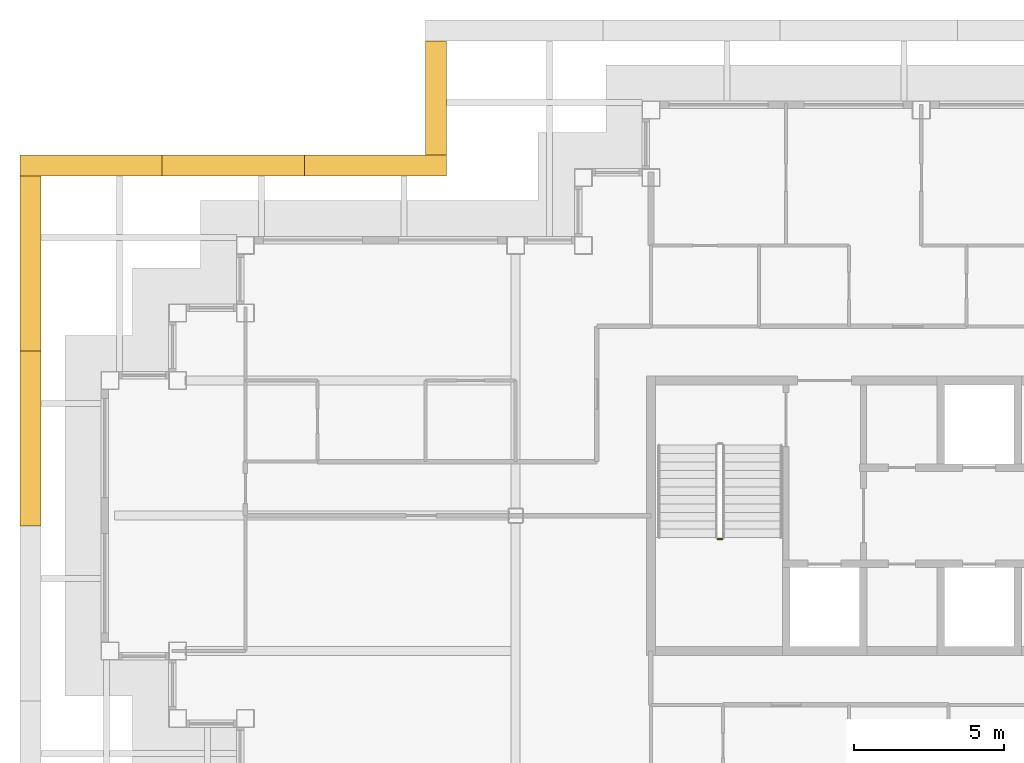
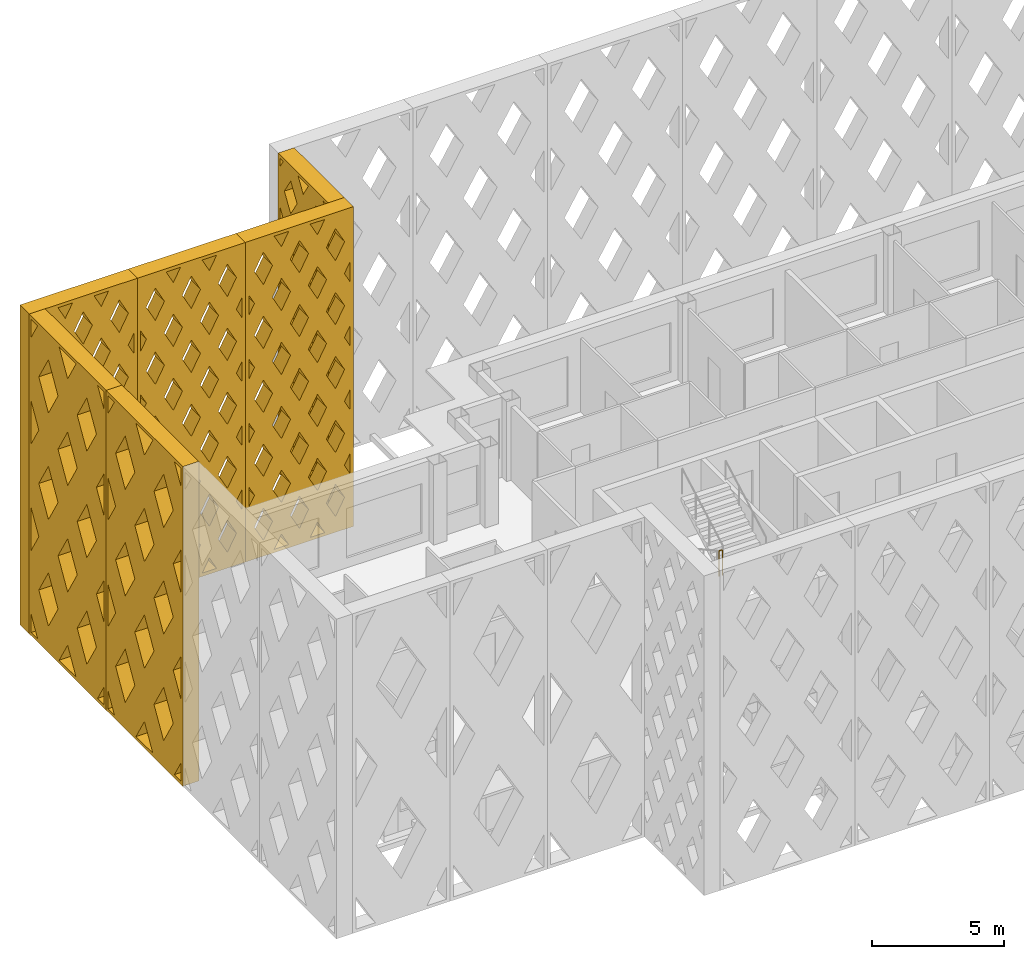
# One storey, part 10 of 15: 6 shading devices, 1 railing.
"""IFC4 building model written with IfcOpenShell, lengths in metres."""

from ifc_helpers import new_model, si_unit, direction, frame, origin, origin_2d, place, context, subcontext, project, spatial, polyline, circle, outline, extrude, material, type_object, element, save


model = new_model("IFC4")

# Units and contexts
model_context = context("Model", 3, precision=1e-05, world=origin(), true_north=direction((0.0, 1.0)))
body_context = subcontext(model_context, "Body", "Model", "MODEL_VIEW")
ifc_project = project(units=[si_unit("LENGTHUNIT", "METRE"), si_unit("AREAUNIT", "SQUARE_METRE"), si_unit("VOLUMEUNIT", "CUBIC_METRE"), si_unit("PLANEANGLEUNIT", "RADIAN"), si_unit("MASSUNIT", "GRAM", prefix="KILO")], contexts=[model_context])

# Site, building, storey
site_placement = place(None, origin())
site = spatial("IfcSite", under=ifc_project, at=site_placement, CompositionType="ELEMENT")
building_placement = place(site_placement, origin())
building = spatial("IfcBuilding", under=site, at=building_placement, Name="Caravel Reach Hotel and Residences", CompositionType="ELEMENT")
storey_placement = place(building_placement, frame((0.0, 0.0, 237.89990234375)))
storey = spatial("IfcBuildingStorey", under=building, at=storey_placement, Name="L60", CompositionType="ELEMENT", Elevation=237.89990234375)

# Shading devices
ifc_material_1 = material(Name="Black powder-coated aluminium", Category="aluminium")
shading_device_type_1 = type_object("IfcShadingDeviceType", Name="Diamond lattice screen panel 3800 x 14800", PredefinedType="USERDEFINED", material=ifc_material_1)
shading_device_1_placement = place(storey_placement, frame((11.199951171875, 42.800048828125, 0.0), z_axis=(-1.0, 0.0, 0.0), x_axis=(0.0, -1.0, 0.0)))
element("IfcShadingDevice", 1, at=shading_device_1_placement, inside=storey, type_object=shading_device_type_1, Name="Lattice screen L60-L63 6.1", ObjectType="SCREEN", PredefinedType="USERDEFINED", context=body_context, shape_type="SweptSolid", body=[
    extrude(outline(polyline([(0.0, 0.0), (3.800048828125, 0.0), (3.800048828125, 14.800048828125), (0.0, 14.800048828125), (0.0, 0.0)]), holes=[polyline([(0.389892578125, 0.14990234375), (0.14990234375, 0.523681640625), (0.14990234375, 0.14990234375), (0.389892578125, 0.14990234375)]), polyline([(0.486083984375, 2.9599609375), (0.14990234375, 3.483642578125), (0.14990234375, 2.436279296875), (0.486083984375, 2.9599609375)]), polyline([(0.486083984375, 5.919921875), (0.14990234375, 6.44384765625), (0.14990234375, 5.396240234375), (0.486083984375, 5.919921875)]), polyline([(0.486083984375, 8.8798828125), (0.14990234375, 9.40380859375), (0.14990234375, 8.356201171875), (0.486083984375, 8.8798828125)]), polyline([(0.486083984375, 11.840087890625), (0.14990234375, 12.36376953125), (0.14990234375, 11.316162109375), (0.486083984375, 11.840087890625)]), polyline([(0.14990234375, 14.2763671875), (0.389892578125, 14.64990234375), (0.14990234375, 14.64990234375), (0.14990234375, 14.2763671875)]), polyline([(0.949951171875, 2.237548828125), (0.4638671875, 1.47998046875), (0.949951171875, 0.72265625), (1.436279296875, 1.47998046875), (0.949951171875, 2.237548828125)]), polyline([(0.949951171875, 5.197509765625), (0.4638671875, 4.43994140625), (0.949951171875, 3.6826171875), (1.436279296875, 4.43994140625), (0.949951171875, 5.197509765625)]), polyline([(0.949951171875, 8.157470703125), (0.4638671875, 7.39990234375), (0.949951171875, 6.642578125), (1.436279296875, 7.39990234375), (0.949951171875, 8.157470703125)]), polyline([(0.949951171875, 11.117431640625), (0.4638671875, 10.360107421875), (0.949951171875, 9.6025390625), (1.436279296875, 10.360107421875), (0.949951171875, 11.117431640625)]), polyline([(0.949951171875, 14.077392578125), (0.4638671875, 13.320068359375), (0.949951171875, 12.5625), (1.436279296875, 13.320068359375), (0.949951171875, 14.077392578125)]), polyline([(1.89990234375, 0.75732421875), (1.510009765625, 0.14990234375), (2.289794921875, 0.14990234375), (1.89990234375, 0.75732421875)]), polyline([(1.89990234375, 3.717529296875), (1.413818359375, 2.9599609375), (1.89990234375, 2.20263671875), (2.38623046875, 2.9599609375), (1.89990234375, 3.717529296875)]), polyline([(1.89990234375, 6.677490234375), (1.413818359375, 5.919921875), (1.89990234375, 5.16259765625), (2.38623046875, 5.919921875), (1.89990234375, 6.677490234375)]), polyline([(1.89990234375, 9.637451171875), (1.413818359375, 8.8798828125), (1.89990234375, 8.12255859375), (2.38623046875, 8.8798828125), (1.89990234375, 9.637451171875)]), polyline([(1.89990234375, 12.597412109375), (1.413818359375, 11.840087890625), (1.89990234375, 11.08251953125), (2.38623046875, 11.840087890625), (1.89990234375, 12.597412109375)]), polyline([(1.89990234375, 14.04248046875), (2.289794921875, 14.64990234375), (1.510009765625, 14.64990234375), (1.89990234375, 14.04248046875)]), polyline([(2.85009765625, 2.237548828125), (2.36376953125, 1.47998046875), (2.85009765625, 0.72265625), (3.336181640625, 1.47998046875), (2.85009765625, 2.237548828125)]), polyline([(2.85009765625, 5.197509765625), (2.36376953125, 4.43994140625), (2.85009765625, 3.6826171875), (3.336181640625, 4.43994140625), (2.85009765625, 5.197509765625)]), polyline([(2.85009765625, 8.157470703125), (2.36376953125, 7.39990234375), (2.85009765625, 6.642578125), (3.336181640625, 7.39990234375), (2.85009765625, 8.157470703125)]), polyline([(2.85009765625, 11.117431640625), (2.36376953125, 10.360107421875), (2.85009765625, 9.6025390625), (3.336181640625, 10.360107421875), (2.85009765625, 11.117431640625)]), polyline([(2.85009765625, 14.077392578125), (2.36376953125, 13.320068359375), (2.85009765625, 12.5625), (3.336181640625, 13.320068359375), (2.85009765625, 14.077392578125)]), polyline([(3.64990234375, 0.523681640625), (3.41015625, 0.14990234375), (3.64990234375, 0.14990234375), (3.64990234375, 0.523681640625)]), polyline([(3.313720703125, 2.9599609375), (3.64990234375, 2.436279296875), (3.64990234375, 3.483642578125), (3.313720703125, 2.9599609375)]), polyline([(3.313720703125, 5.919921875), (3.64990234375, 5.396240234375), (3.64990234375, 6.44384765625), (3.313720703125, 5.919921875)]), polyline([(3.313720703125, 8.8798828125), (3.64990234375, 8.356201171875), (3.64990234375, 9.40380859375), (3.313720703125, 8.8798828125)]), polyline([(3.313720703125, 11.840087890625), (3.64990234375, 11.316162109375), (3.64990234375, 12.36376953125), (3.313720703125, 11.840087890625)]), polyline([(3.41015625, 14.64990234375), (3.64990234375, 14.2763671875), (3.64990234375, 14.64990234375), (3.41015625, 14.64990234375)])]), origin(), (0.0, 0.0, 1.0), 0.699951171875),
])
ifc_material_2 = material(Name="Black powder-coated aluminium", Category="aluminium")
shading_device_type_2 = type_object("IfcShadingDeviceType", Name="Diamond lattice screen panel 4733 x 14800", PredefinedType="USERDEFINED", material=ifc_material_2)
shading_device_2_placement = place(storey_placement, frame((11.199951171875, 38.300048828125, 0.0), z_axis=(0.0, 1.0, 0.0), x_axis=(-1.0, 0.0, 0.0)))
element("IfcShadingDevice", 2, at=shading_device_2_placement, inside=storey, type_object=shading_device_type_2, Name="Lattice screen L60-L63 7.1", ObjectType="SCREEN", PredefinedType="USERDEFINED", context=body_context, shape_type="SweptSolid", body=[
    extrude(outline(polyline([(0.0, 0.0), (4.7333984375, 0.0), (4.7333984375, 14.800048828125), (0.0, 14.800048828125), (0.0, 0.0)]), holes=[polyline([(0.398681640625, 2.9599609375), (0.14990234375, 3.4267578125), (0.14990234375, 2.493408203125), (0.398681640625, 2.9599609375)]), polyline([(0.398681640625, 5.919921875), (0.14990234375, 6.38671875), (0.14990234375, 5.453369140625), (0.398681640625, 5.919921875)]), polyline([(0.398681640625, 8.8798828125), (0.14990234375, 9.3466796875), (0.14990234375, 8.413330078125), (0.398681640625, 8.8798828125)]), polyline([(0.398681640625, 11.840087890625), (0.14990234375, 12.306640625), (0.14990234375, 11.373291015625), (0.398681640625, 11.840087890625)]), polyline([(0.788818359375, 2.22802734375), (0.39013671875, 1.47998046875), (0.788818359375, 0.73193359375), (1.187744140625, 1.47998046875), (0.788818359375, 2.22802734375)]), polyline([(0.788818359375, 5.18798828125), (0.39013671875, 4.43994140625), (0.788818359375, 3.69189453125), (1.187744140625, 4.43994140625), (0.788818359375, 5.18798828125)]), polyline([(0.788818359375, 8.14794921875), (0.39013671875, 7.39990234375), (0.788818359375, 6.65185546875), (1.187744140625, 7.39990234375), (0.788818359375, 8.14794921875)]), polyline([(0.788818359375, 11.108154296875), (0.39013671875, 10.360107421875), (0.788818359375, 9.612060546875), (1.187744140625, 10.360107421875), (0.788818359375, 11.108154296875)]), polyline([(0.788818359375, 14.068115234375), (0.39013671875, 13.320068359375), (0.788818359375, 12.572021484375), (1.187744140625, 13.320068359375), (0.788818359375, 14.068115234375)]), polyline([(1.577880859375, 0.748046875), (1.259033203125, 0.14990234375), (1.896484375, 0.14990234375), (1.577880859375, 0.748046875)]), polyline([(1.577880859375, 3.7080078125), (1.178955078125, 2.9599609375), (1.577880859375, 2.2119140625), (1.9765625, 2.9599609375), (1.577880859375, 3.7080078125)]), polyline([(1.577880859375, 6.66796875), (1.178955078125, 5.919921875), (1.577880859375, 5.171875), (1.9765625, 5.919921875), (1.577880859375, 6.66796875)]), polyline([(1.577880859375, 9.6279296875), (1.178955078125, 8.8798828125), (1.577880859375, 8.1318359375), (1.9765625, 8.8798828125), (1.577880859375, 9.6279296875)]), polyline([(1.577880859375, 12.588134765625), (1.178955078125, 11.840087890625), (1.577880859375, 11.092041015625), (1.9765625, 11.840087890625), (1.577880859375, 12.588134765625)]), polyline([(1.577880859375, 14.052001953125), (1.896484375, 14.64990234375), (1.259033203125, 14.64990234375), (1.577880859375, 14.052001953125)]), polyline([(2.36669921875, 2.22802734375), (1.968017578125, 1.47998046875), (2.36669921875, 0.73193359375), (2.765380859375, 1.47998046875), (2.36669921875, 2.22802734375)]), polyline([(2.36669921875, 5.18798828125), (1.968017578125, 4.43994140625), (2.36669921875, 3.69189453125), (2.765380859375, 4.43994140625), (2.36669921875, 5.18798828125)]), polyline([(2.36669921875, 8.14794921875), (1.968017578125, 7.39990234375), (2.36669921875, 6.65185546875), (2.765380859375, 7.39990234375), (2.36669921875, 8.14794921875)]), polyline([(2.36669921875, 11.108154296875), (1.968017578125, 10.360107421875), (2.36669921875, 9.612060546875), (2.765380859375, 10.360107421875), (2.36669921875, 11.108154296875)]), polyline([(2.36669921875, 14.068115234375), (1.968017578125, 13.320068359375), (2.36669921875, 12.572021484375), (2.765380859375, 13.320068359375), (2.36669921875, 14.068115234375)]), polyline([(3.155517578125, 0.748046875), (2.836669921875, 0.14990234375), (3.474365234375, 0.14990234375), (3.155517578125, 0.748046875)]), polyline([(3.155517578125, 3.7080078125), (2.7568359375, 2.9599609375), (3.155517578125, 2.2119140625), (3.55419921875, 2.9599609375), (3.155517578125, 3.7080078125)]), polyline([(3.155517578125, 6.66796875), (2.7568359375, 5.919921875), (3.155517578125, 5.171875), (3.55419921875, 5.919921875), (3.155517578125, 6.66796875)]), polyline([(3.155517578125, 9.6279296875), (2.7568359375, 8.8798828125), (3.155517578125, 8.1318359375), (3.55419921875, 8.8798828125), (3.155517578125, 9.6279296875)]), polyline([(3.155517578125, 12.588134765625), (2.7568359375, 11.840087890625), (3.155517578125, 11.092041015625), (3.55419921875, 11.840087890625), (3.155517578125, 12.588134765625)]), polyline([(3.155517578125, 14.052001953125), (3.474365234375, 14.64990234375), (2.836669921875, 14.64990234375), (3.155517578125, 14.052001953125)]), polyline([(3.9443359375, 2.22802734375), (3.545654296875, 1.47998046875), (3.9443359375, 0.73193359375), (4.34326171875, 1.47998046875), (3.9443359375, 2.22802734375)]), polyline([(3.9443359375, 5.18798828125), (3.545654296875, 4.43994140625), (3.9443359375, 3.69189453125), (4.34326171875, 4.43994140625), (3.9443359375, 5.18798828125)]), polyline([(3.9443359375, 8.14794921875), (3.545654296875, 7.39990234375), (3.9443359375, 6.65185546875), (4.34326171875, 7.39990234375), (3.9443359375, 8.14794921875)]), polyline([(3.9443359375, 11.108154296875), (3.545654296875, 10.360107421875), (3.9443359375, 9.612060546875), (4.34326171875, 10.360107421875), (3.9443359375, 11.108154296875)]), polyline([(3.9443359375, 14.068115234375), (3.545654296875, 13.320068359375), (3.9443359375, 12.572021484375), (4.34326171875, 13.320068359375), (3.9443359375, 14.068115234375)]), polyline([(4.334716796875, 2.9599609375), (4.583251953125, 2.493408203125), (4.583251953125, 3.4267578125), (4.334716796875, 2.9599609375)]), polyline([(4.334716796875, 5.919921875), (4.583251953125, 5.453369140625), (4.583251953125, 6.38671875), (4.334716796875, 5.919921875)]), polyline([(4.334716796875, 8.8798828125), (4.583251953125, 8.413330078125), (4.583251953125, 9.3466796875), (4.334716796875, 8.8798828125)]), polyline([(4.334716796875, 11.840087890625), (4.583251953125, 11.373291015625), (4.583251953125, 12.306640625), (4.334716796875, 11.840087890625)])]), origin(), (0.0, 0.0, 1.0), 0.699951171875),
])
shading_device_3_placement = place(storey_placement, frame((6.466552734375, 38.300048828125, 0.0), z_axis=(0.0, 1.0, 0.0), x_axis=(-1.0, 0.0, 0.0)))
element("IfcShadingDevice", 3, at=shading_device_3_placement, inside=storey, type_object=shading_device_type_2, Name="Lattice screen L60-L63 7.2", ObjectType="SCREEN", PredefinedType="USERDEFINED", context=body_context, shape_type="SweptSolid", body=[
    extrude(outline(polyline([(0.0, 0.0), (4.7333984375, 0.0), (4.7333984375, 14.800048828125), (0.0, 14.800048828125), (0.0, 0.0)]), holes=[polyline([(0.398681640625, 2.9599609375), (0.14990234375, 3.4267578125), (0.14990234375, 2.493408203125), (0.398681640625, 2.9599609375)]), polyline([(0.398681640625, 5.919921875), (0.14990234375, 6.38671875), (0.14990234375, 5.453369140625), (0.398681640625, 5.919921875)]), polyline([(0.398681640625, 8.8798828125), (0.14990234375, 9.3466796875), (0.14990234375, 8.413330078125), (0.398681640625, 8.8798828125)]), polyline([(0.398681640625, 11.840087890625), (0.14990234375, 12.306640625), (0.14990234375, 11.373291015625), (0.398681640625, 11.840087890625)]), polyline([(0.788818359375, 2.22802734375), (0.39013671875, 1.47998046875), (0.788818359375, 0.73193359375), (1.187744140625, 1.47998046875), (0.788818359375, 2.22802734375)]), polyline([(0.788818359375, 5.18798828125), (0.39013671875, 4.43994140625), (0.788818359375, 3.69189453125), (1.187744140625, 4.43994140625), (0.788818359375, 5.18798828125)]), polyline([(0.788818359375, 8.14794921875), (0.39013671875, 7.39990234375), (0.788818359375, 6.65185546875), (1.187744140625, 7.39990234375), (0.788818359375, 8.14794921875)]), polyline([(0.788818359375, 11.108154296875), (0.39013671875, 10.360107421875), (0.788818359375, 9.612060546875), (1.187744140625, 10.360107421875), (0.788818359375, 11.108154296875)]), polyline([(0.788818359375, 14.068115234375), (0.39013671875, 13.320068359375), (0.788818359375, 12.572021484375), (1.187744140625, 13.320068359375), (0.788818359375, 14.068115234375)]), polyline([(1.577880859375, 0.748046875), (1.259033203125, 0.14990234375), (1.896484375, 0.14990234375), (1.577880859375, 0.748046875)]), polyline([(1.577880859375, 3.7080078125), (1.178955078125, 2.9599609375), (1.577880859375, 2.2119140625), (1.9765625, 2.9599609375), (1.577880859375, 3.7080078125)]), polyline([(1.577880859375, 6.66796875), (1.178955078125, 5.919921875), (1.577880859375, 5.171875), (1.9765625, 5.919921875), (1.577880859375, 6.66796875)]), polyline([(1.577880859375, 9.6279296875), (1.178955078125, 8.8798828125), (1.577880859375, 8.1318359375), (1.9765625, 8.8798828125), (1.577880859375, 9.6279296875)]), polyline([(1.577880859375, 12.588134765625), (1.178955078125, 11.840087890625), (1.577880859375, 11.092041015625), (1.9765625, 11.840087890625), (1.577880859375, 12.588134765625)]), polyline([(1.577880859375, 14.052001953125), (1.896484375, 14.64990234375), (1.259033203125, 14.64990234375), (1.577880859375, 14.052001953125)]), polyline([(2.36669921875, 2.22802734375), (1.968017578125, 1.47998046875), (2.36669921875, 0.73193359375), (2.765380859375, 1.47998046875), (2.36669921875, 2.22802734375)]), polyline([(2.36669921875, 5.18798828125), (1.968017578125, 4.43994140625), (2.36669921875, 3.69189453125), (2.765380859375, 4.43994140625), (2.36669921875, 5.18798828125)]), polyline([(2.36669921875, 8.14794921875), (1.968017578125, 7.39990234375), (2.36669921875, 6.65185546875), (2.765380859375, 7.39990234375), (2.36669921875, 8.14794921875)]), polyline([(2.36669921875, 11.108154296875), (1.968017578125, 10.360107421875), (2.36669921875, 9.612060546875), (2.765380859375, 10.360107421875), (2.36669921875, 11.108154296875)]), polyline([(2.36669921875, 14.068115234375), (1.968017578125, 13.320068359375), (2.36669921875, 12.572021484375), (2.765380859375, 13.320068359375), (2.36669921875, 14.068115234375)]), polyline([(3.155517578125, 0.748046875), (2.836669921875, 0.14990234375), (3.474365234375, 0.14990234375), (3.155517578125, 0.748046875)]), polyline([(3.155517578125, 3.7080078125), (2.7568359375, 2.9599609375), (3.155517578125, 2.2119140625), (3.55419921875, 2.9599609375), (3.155517578125, 3.7080078125)]), polyline([(3.155517578125, 6.66796875), (2.7568359375, 5.919921875), (3.155517578125, 5.171875), (3.55419921875, 5.919921875), (3.155517578125, 6.66796875)]), polyline([(3.155517578125, 9.6279296875), (2.7568359375, 8.8798828125), (3.155517578125, 8.1318359375), (3.55419921875, 8.8798828125), (3.155517578125, 9.6279296875)]), polyline([(3.155517578125, 12.588134765625), (2.7568359375, 11.840087890625), (3.155517578125, 11.092041015625), (3.55419921875, 11.840087890625), (3.155517578125, 12.588134765625)]), polyline([(3.155517578125, 14.052001953125), (3.474365234375, 14.64990234375), (2.836669921875, 14.64990234375), (3.155517578125, 14.052001953125)]), polyline([(3.9443359375, 2.22802734375), (3.545654296875, 1.47998046875), (3.9443359375, 0.73193359375), (4.34326171875, 1.47998046875), (3.9443359375, 2.22802734375)]), polyline([(3.9443359375, 5.18798828125), (3.545654296875, 4.43994140625), (3.9443359375, 3.69189453125), (4.34326171875, 4.43994140625), (3.9443359375, 5.18798828125)]), polyline([(3.9443359375, 8.14794921875), (3.545654296875, 7.39990234375), (3.9443359375, 6.65185546875), (4.34326171875, 7.39990234375), (3.9443359375, 8.14794921875)]), polyline([(3.9443359375, 11.108154296875), (3.545654296875, 10.360107421875), (3.9443359375, 9.612060546875), (4.34326171875, 10.360107421875), (3.9443359375, 11.108154296875)]), polyline([(3.9443359375, 14.068115234375), (3.545654296875, 13.320068359375), (3.9443359375, 12.572021484375), (4.34326171875, 13.320068359375), (3.9443359375, 14.068115234375)]), polyline([(4.334716796875, 2.9599609375), (4.583251953125, 2.493408203125), (4.583251953125, 3.4267578125), (4.334716796875, 2.9599609375)]), polyline([(4.334716796875, 5.919921875), (4.583251953125, 5.453369140625), (4.583251953125, 6.38671875), (4.334716796875, 5.919921875)]), polyline([(4.334716796875, 8.8798828125), (4.583251953125, 8.413330078125), (4.583251953125, 9.3466796875), (4.334716796875, 8.8798828125)]), polyline([(4.334716796875, 11.840087890625), (4.583251953125, 11.373291015625), (4.583251953125, 12.306640625), (4.334716796875, 11.840087890625)])]), origin(), (0.0, 0.0, 1.0), 0.699951171875),
])
shading_device_4_placement = place(storey_placement, frame((1.7333984375, 38.300048828125, 0.0), z_axis=(0.0, 1.0, 0.0), x_axis=(-1.0, 0.0, 0.0)))
element("IfcShadingDevice", 4, at=shading_device_4_placement, inside=storey, type_object=shading_device_type_2, Name="Lattice screen L60-L63 7.3", ObjectType="SCREEN", PredefinedType="USERDEFINED", context=body_context, shape_type="SweptSolid", body=[
    extrude(outline(polyline([(0.0, 0.0), (4.7333984375, 0.0), (4.7333984375, 14.800048828125), (0.0, 14.800048828125), (0.0, 0.0)]), holes=[polyline([(0.398681640625, 2.9599609375), (0.14990234375, 3.4267578125), (0.14990234375, 2.493408203125), (0.398681640625, 2.9599609375)]), polyline([(0.398681640625, 5.919921875), (0.14990234375, 6.38671875), (0.14990234375, 5.453369140625), (0.398681640625, 5.919921875)]), polyline([(0.398681640625, 8.8798828125), (0.14990234375, 9.3466796875), (0.14990234375, 8.413330078125), (0.398681640625, 8.8798828125)]), polyline([(0.398681640625, 11.840087890625), (0.14990234375, 12.306640625), (0.14990234375, 11.373291015625), (0.398681640625, 11.840087890625)]), polyline([(0.788818359375, 2.22802734375), (0.39013671875, 1.47998046875), (0.788818359375, 0.73193359375), (1.187744140625, 1.47998046875), (0.788818359375, 2.22802734375)]), polyline([(0.788818359375, 5.18798828125), (0.39013671875, 4.43994140625), (0.788818359375, 3.69189453125), (1.187744140625, 4.43994140625), (0.788818359375, 5.18798828125)]), polyline([(0.788818359375, 8.14794921875), (0.39013671875, 7.39990234375), (0.788818359375, 6.65185546875), (1.187744140625, 7.39990234375), (0.788818359375, 8.14794921875)]), polyline([(0.788818359375, 11.108154296875), (0.39013671875, 10.360107421875), (0.788818359375, 9.612060546875), (1.187744140625, 10.360107421875), (0.788818359375, 11.108154296875)]), polyline([(0.788818359375, 14.068115234375), (0.39013671875, 13.320068359375), (0.788818359375, 12.572021484375), (1.187744140625, 13.320068359375), (0.788818359375, 14.068115234375)]), polyline([(1.577880859375, 0.748046875), (1.259033203125, 0.14990234375), (1.896484375, 0.14990234375), (1.577880859375, 0.748046875)]), polyline([(1.577880859375, 3.7080078125), (1.178955078125, 2.9599609375), (1.577880859375, 2.2119140625), (1.9765625, 2.9599609375), (1.577880859375, 3.7080078125)]), polyline([(1.577880859375, 6.66796875), (1.178955078125, 5.919921875), (1.577880859375, 5.171875), (1.9765625, 5.919921875), (1.577880859375, 6.66796875)]), polyline([(1.577880859375, 9.6279296875), (1.178955078125, 8.8798828125), (1.577880859375, 8.1318359375), (1.9765625, 8.8798828125), (1.577880859375, 9.6279296875)]), polyline([(1.577880859375, 12.588134765625), (1.178955078125, 11.840087890625), (1.577880859375, 11.092041015625), (1.9765625, 11.840087890625), (1.577880859375, 12.588134765625)]), polyline([(1.577880859375, 14.052001953125), (1.896484375, 14.64990234375), (1.259033203125, 14.64990234375), (1.577880859375, 14.052001953125)]), polyline([(2.36669921875, 2.22802734375), (1.968017578125, 1.47998046875), (2.36669921875, 0.73193359375), (2.765380859375, 1.47998046875), (2.36669921875, 2.22802734375)]), polyline([(2.36669921875, 5.18798828125), (1.968017578125, 4.43994140625), (2.36669921875, 3.69189453125), (2.765380859375, 4.43994140625), (2.36669921875, 5.18798828125)]), polyline([(2.36669921875, 8.14794921875), (1.968017578125, 7.39990234375), (2.36669921875, 6.65185546875), (2.765380859375, 7.39990234375), (2.36669921875, 8.14794921875)]), polyline([(2.36669921875, 11.108154296875), (1.968017578125, 10.360107421875), (2.36669921875, 9.612060546875), (2.765380859375, 10.360107421875), (2.36669921875, 11.108154296875)]), polyline([(2.36669921875, 14.068115234375), (1.968017578125, 13.320068359375), (2.36669921875, 12.572021484375), (2.765380859375, 13.320068359375), (2.36669921875, 14.068115234375)]), polyline([(3.155517578125, 0.748046875), (2.836669921875, 0.14990234375), (3.474365234375, 0.14990234375), (3.155517578125, 0.748046875)]), polyline([(3.155517578125, 3.7080078125), (2.7568359375, 2.9599609375), (3.155517578125, 2.2119140625), (3.55419921875, 2.9599609375), (3.155517578125, 3.7080078125)]), polyline([(3.155517578125, 6.66796875), (2.7568359375, 5.919921875), (3.155517578125, 5.171875), (3.55419921875, 5.919921875), (3.155517578125, 6.66796875)]), polyline([(3.155517578125, 9.6279296875), (2.7568359375, 8.8798828125), (3.155517578125, 8.1318359375), (3.55419921875, 8.8798828125), (3.155517578125, 9.6279296875)]), polyline([(3.155517578125, 12.588134765625), (2.7568359375, 11.840087890625), (3.155517578125, 11.092041015625), (3.55419921875, 11.840087890625), (3.155517578125, 12.588134765625)]), polyline([(3.155517578125, 14.052001953125), (3.474365234375, 14.64990234375), (2.836669921875, 14.64990234375), (3.155517578125, 14.052001953125)]), polyline([(3.9443359375, 2.22802734375), (3.545654296875, 1.47998046875), (3.9443359375, 0.73193359375), (4.34326171875, 1.47998046875), (3.9443359375, 2.22802734375)]), polyline([(3.9443359375, 5.18798828125), (3.545654296875, 4.43994140625), (3.9443359375, 3.69189453125), (4.34326171875, 4.43994140625), (3.9443359375, 5.18798828125)]), polyline([(3.9443359375, 8.14794921875), (3.545654296875, 7.39990234375), (3.9443359375, 6.65185546875), (4.34326171875, 7.39990234375), (3.9443359375, 8.14794921875)]), polyline([(3.9443359375, 11.108154296875), (3.545654296875, 10.360107421875), (3.9443359375, 9.612060546875), (4.34326171875, 10.360107421875), (3.9443359375, 11.108154296875)]), polyline([(3.9443359375, 14.068115234375), (3.545654296875, 13.320068359375), (3.9443359375, 12.572021484375), (4.34326171875, 13.320068359375), (3.9443359375, 14.068115234375)]), polyline([(4.334716796875, 2.9599609375), (4.583251953125, 2.493408203125), (4.583251953125, 3.4267578125), (4.334716796875, 2.9599609375)]), polyline([(4.334716796875, 5.919921875), (4.583251953125, 5.453369140625), (4.583251953125, 6.38671875), (4.334716796875, 5.919921875)]), polyline([(4.334716796875, 8.8798828125), (4.583251953125, 8.413330078125), (4.583251953125, 9.3466796875), (4.334716796875, 8.8798828125)]), polyline([(4.334716796875, 11.840087890625), (4.583251953125, 11.373291015625), (4.583251953125, 12.306640625), (4.334716796875, 11.840087890625)])]), origin(), (0.0, 0.0, 1.0), 0.699951171875),
])
ifc_material_3 = material(Name="Black powder-coated aluminium", Category="aluminium")
shading_device_type_3 = type_object("IfcShadingDeviceType", Name="Diamond lattice screen panel 5825 x 14800", PredefinedType="USERDEFINED", material=ifc_material_3)
shading_device_5_placement = place(storey_placement, frame((-2.300048828125, 38.300048828125, 0.0), z_axis=(-1.0, 0.0, 0.0), x_axis=(0.0, -1.0, 0.0)))
element("IfcShadingDevice", 5, at=shading_device_5_placement, inside=storey, type_object=shading_device_type_3, Name="Lattice screen L60-L63 8.1", ObjectType="SCREEN", PredefinedType="USERDEFINED", context=body_context, shape_type="SweptSolid", body=[
    extrude(outline(polyline([(0.0, 0.0), (5.824951171875, 0.0), (5.824951171875, 14.800048828125), (0.0, 14.800048828125), (0.0, 0.0)]), holes=[polyline([(0.64208984375, 0.14990234375), (0.14990234375, 0.9833984375), (0.14990234375, 0.14990234375), (0.64208984375, 0.14990234375)]), polyline([(0.730712890625, 4.933349609375), (0.14990234375, 5.916748046875), (0.14990234375, 3.949951171875), (0.730712890625, 4.933349609375)]), polyline([(0.730712890625, 9.86669921875), (0.14990234375, 10.85009765625), (0.14990234375, 8.88330078125), (0.730712890625, 9.86669921875)]), polyline([(0.14990234375, 13.816650390625), (0.64208984375, 14.64990234375), (0.14990234375, 14.64990234375), (0.14990234375, 13.816650390625)]), polyline([(1.456298828125, 3.7041015625), (0.7255859375, 2.466552734375), (1.456298828125, 1.229248046875), (2.186767578125, 2.466552734375), (1.456298828125, 3.7041015625)]), polyline([(1.456298828125, 8.637451171875), (0.7255859375, 7.39990234375), (1.456298828125, 6.16259765625), (2.186767578125, 7.39990234375), (1.456298828125, 8.637451171875)]), polyline([(1.456298828125, 13.57080078125), (0.7255859375, 12.333251953125), (1.456298828125, 11.095703125), (2.186767578125, 12.333251953125), (1.456298828125, 13.57080078125)]), polyline([(2.91259765625, 1.237548828125), (2.2705078125, 0.14990234375), (3.554443359375, 0.14990234375), (2.91259765625, 1.237548828125)]), polyline([(2.91259765625, 6.1708984375), (2.181884765625, 4.933349609375), (2.91259765625, 3.69580078125), (3.64306640625, 4.933349609375), (2.91259765625, 6.1708984375)]), polyline([(2.91259765625, 11.104248046875), (2.181884765625, 9.86669921875), (2.91259765625, 8.629150390625), (3.64306640625, 9.86669921875), (2.91259765625, 11.104248046875)]), polyline([(2.91259765625, 13.5625), (3.554443359375, 14.64990234375), (2.2705078125, 14.64990234375), (2.91259765625, 13.5625)]), polyline([(4.36865234375, 3.7041015625), (3.63818359375, 2.466552734375), (4.36865234375, 1.229248046875), (5.099365234375, 2.466552734375), (4.36865234375, 3.7041015625)]), polyline([(4.36865234375, 8.637451171875), (3.63818359375, 7.39990234375), (4.36865234375, 6.16259765625), (5.099365234375, 7.39990234375), (4.36865234375, 8.637451171875)]), polyline([(4.36865234375, 13.57080078125), (3.63818359375, 12.333251953125), (4.36865234375, 11.095703125), (5.099365234375, 12.333251953125), (4.36865234375, 13.57080078125)]), polyline([(5.675048828125, 0.9833984375), (5.182861328125, 0.14990234375), (5.675048828125, 0.14990234375), (5.675048828125, 0.9833984375)]), polyline([(5.094482421875, 4.933349609375), (5.675048828125, 3.949951171875), (5.675048828125, 5.916748046875), (5.094482421875, 4.933349609375)]), polyline([(5.094482421875, 9.86669921875), (5.675048828125, 8.88330078125), (5.675048828125, 10.85009765625), (5.094482421875, 9.86669921875)]), polyline([(5.182861328125, 14.64990234375), (5.675048828125, 13.816650390625), (5.675048828125, 14.64990234375), (5.182861328125, 14.64990234375)])]), origin(), (0.0, 0.0, 1.0), 0.699951171875),
])
shading_device_6_placement = place(storey_placement, frame((-2.300048828125, 32.47509765625, 0.0), z_axis=(-1.0, 0.0, 0.0), x_axis=(0.0, -1.0, 0.0)))
element("IfcShadingDevice", 6, at=shading_device_6_placement, inside=storey, type_object=shading_device_type_3, Name="Lattice screen L60-L63 8.2", ObjectType="SCREEN", PredefinedType="USERDEFINED", context=body_context, shape_type="SweptSolid", body=[
    extrude(outline(polyline([(0.0, 0.0), (5.824951171875, 0.0), (5.824951171875, 14.800048828125), (0.0, 14.800048828125), (0.0, 0.0)]), holes=[polyline([(0.64208984375, 0.14990234375), (0.14990234375, 0.9833984375), (0.14990234375, 0.14990234375), (0.64208984375, 0.14990234375)]), polyline([(0.730712890625, 4.933349609375), (0.14990234375, 5.916748046875), (0.14990234375, 3.949951171875), (0.730712890625, 4.933349609375)]), polyline([(0.730712890625, 9.86669921875), (0.14990234375, 10.85009765625), (0.14990234375, 8.88330078125), (0.730712890625, 9.86669921875)]), polyline([(0.14990234375, 13.816650390625), (0.64208984375, 14.64990234375), (0.14990234375, 14.64990234375), (0.14990234375, 13.816650390625)]), polyline([(1.456298828125, 3.7041015625), (0.7255859375, 2.466552734375), (1.456298828125, 1.229248046875), (2.186767578125, 2.466552734375), (1.456298828125, 3.7041015625)]), polyline([(1.456298828125, 8.637451171875), (0.7255859375, 7.39990234375), (1.456298828125, 6.16259765625), (2.186767578125, 7.39990234375), (1.456298828125, 8.637451171875)]), polyline([(1.456298828125, 13.57080078125), (0.7255859375, 12.333251953125), (1.456298828125, 11.095703125), (2.186767578125, 12.333251953125), (1.456298828125, 13.57080078125)]), polyline([(2.91259765625, 1.237548828125), (2.2705078125, 0.14990234375), (3.554443359375, 0.14990234375), (2.91259765625, 1.237548828125)]), polyline([(2.91259765625, 6.1708984375), (2.181884765625, 4.933349609375), (2.91259765625, 3.69580078125), (3.64306640625, 4.933349609375), (2.91259765625, 6.1708984375)]), polyline([(2.91259765625, 11.104248046875), (2.181884765625, 9.86669921875), (2.91259765625, 8.629150390625), (3.64306640625, 9.86669921875), (2.91259765625, 11.104248046875)]), polyline([(2.91259765625, 13.5625), (3.554443359375, 14.64990234375), (2.2705078125, 14.64990234375), (2.91259765625, 13.5625)]), polyline([(4.36865234375, 3.7041015625), (3.63818359375, 2.466552734375), (4.36865234375, 1.229248046875), (5.099365234375, 2.466552734375), (4.36865234375, 3.7041015625)]), polyline([(4.36865234375, 8.637451171875), (3.63818359375, 7.39990234375), (4.36865234375, 6.16259765625), (5.099365234375, 7.39990234375), (4.36865234375, 8.637451171875)]), polyline([(4.36865234375, 13.57080078125), (3.63818359375, 12.333251953125), (4.36865234375, 11.095703125), (5.099365234375, 12.333251953125), (4.36865234375, 13.57080078125)]), polyline([(5.675048828125, 0.9833984375), (5.182861328125, 0.14990234375), (5.675048828125, 0.14990234375), (5.675048828125, 0.9833984375)]), polyline([(5.094482421875, 4.933349609375), (5.675048828125, 3.949951171875), (5.675048828125, 5.916748046875), (5.094482421875, 4.933349609375)]), polyline([(5.094482421875, 9.86669921875), (5.675048828125, 8.88330078125), (5.675048828125, 10.85009765625), (5.094482421875, 9.86669921875)]), polyline([(5.182861328125, 14.64990234375), (5.675048828125, 13.816650390625), (5.675048828125, 14.64990234375), (5.182861328125, 14.64990234375)])]), origin(), (0.0, 0.0, 1.0), 0.699951171875),
])

# Railing
ifc_material_4 = material(Name="Steel balustrade with glass infill", Category="steel")
railing_type = type_object("IfcRailingType", Name="Guard 1200", PredefinedType="GUARDRAIL", material=ifc_material_4)
railing_placement = place(storey_placement, frame((20.22509765625, 26.219970703125, 1.85009765625)))
element("IfcRailing", 7, at=railing_placement, inside=storey, type_object=railing_type, Name="L60 ST-A stair guard 2", PredefinedType="GUARDRAIL", context=body_context, shape_type="SweptSolid", body=[
    extrude(circle(Radius=0.02392578125, at=origin_2d()), frame((0.0, 0.0, 1.17578125), z_axis=(1.0, 0.0, 0.0), x_axis=(0.0, 1.0, 0.0)), (0.0, 0.0, 1.0), 0.14990234375),
    extrude(circle(Radius=0.02099609375, at=origin_2d()), origin(), (0.0, 0.0, 1.0), 1.15185546875),
    extrude(circle(Radius=0.02099609375, at=origin_2d()), frame((0.14990234375, 0.0, 0.0)), (0.0, 0.0, 1.0), 1.15185546875),
])

save(model, "model.ifc")
